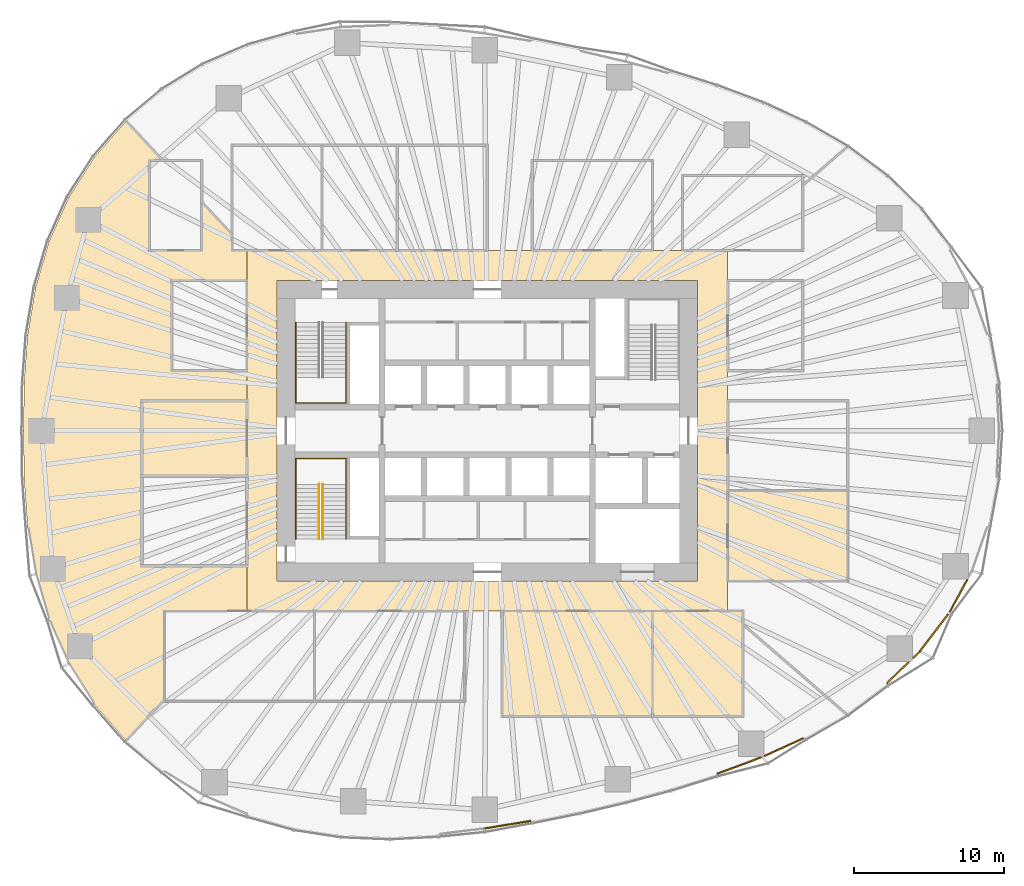
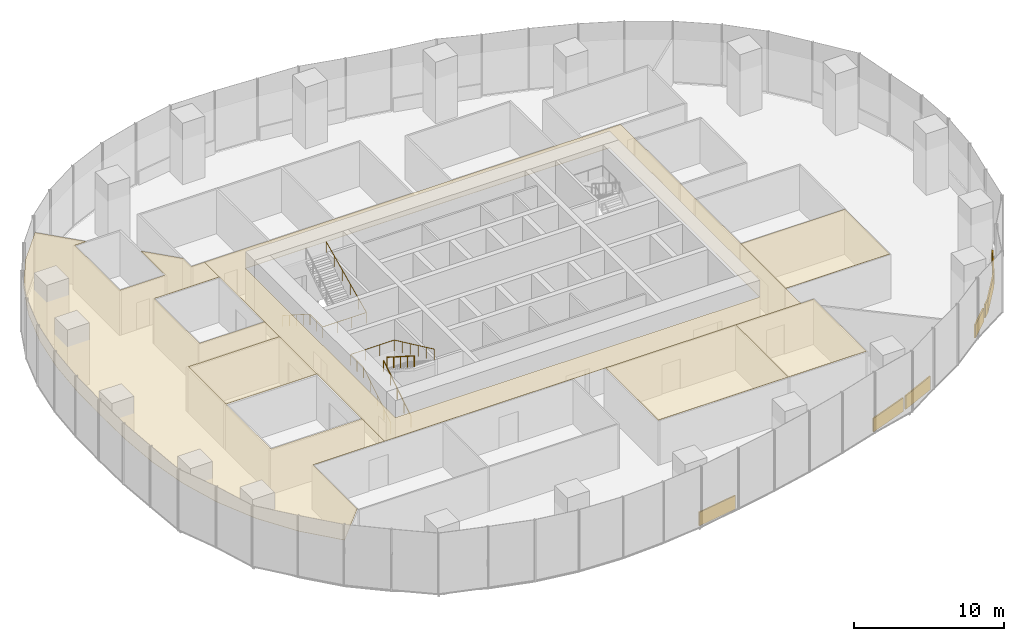
# One storey, part 18 of 20: 13 coverings, 4 railings.
"""IFC4 building model written with IfcOpenShell, lengths in metres."""

from ifc_helpers import new_model, si_unit, direction, frame, origin, origin_2d, place, context, subcontext, project, spatial, polyline, rectangle, circle, outline, extrude, material, layer, layer_set, type_object, element, save


model = new_model("IFC4")

# Units and contexts
model_context = context("Model", 3, precision=1e-05, world=origin(), true_north=direction((0.0, 1.0)))
body_context = subcontext(model_context, "Body", "Model", "MODEL_VIEW")
ifc_project = project(units=[si_unit("LENGTHUNIT", "METRE"), si_unit("AREAUNIT", "SQUARE_METRE"), si_unit("VOLUMEUNIT", "CUBIC_METRE"), si_unit("PLANEANGLEUNIT", "RADIAN"), si_unit("MASSUNIT", "GRAM", prefix="KILO")], contexts=[model_context])

# Site, building, storey
site_placement = place(None, origin())
site = spatial("IfcSite", under=ifc_project, at=site_placement, CompositionType="ELEMENT")
building_placement = place(site_placement, origin())
building = spatial("IfcBuilding", under=site, at=building_placement, Name="Ghaith Harvest Tower", CompositionType="ELEMENT")
storey_placement = place(building_placement, frame((0.0, 0.0, 85.0)))
storey = spatial("IfcBuildingStorey", under=building, at=storey_placement, Name="L17", CompositionType="ELEMENT", Elevation=85.0)

# Coverings
ifc_material_1 = material(Name="Mineral fibre ceiling tile", Category="gypsum")
ifc_layer_1 = layer(ifc_material_1, 0.02490234375)
ifc_layer_set_1 = layer_set([ifc_layer_1], Name="CEILING C2")
covering_type_1 = type_object("IfcCoveringType", Name="CEILING C2", PredefinedType="CEILING", material=ifc_layer_set_1)
covering_1_placement = place(storey_placement, frame((0.0, 0.0, 3.60009765625)))
element("IfcCovering", 1, at=covering_1_placement, inside=storey, type_object=covering_type_1, Name="Ceiling L17-03", PredefinedType="CEILING", context=body_context, shape_type="SweptSolid", body=[
    extrude(outline(polyline([(1.0, -19.0), (11.0, -19.0), (11.0, -12.0), (1.0, -12.0), (1.0, -19.0)])), origin(), (0.0, 0.0, 1.0), 0.02490234375),
])
covering_2_placement = place(storey_placement, frame((0.0, 0.0, 3.60009765625)))
element("IfcCovering", 2, at=covering_2_placement, inside=storey, type_object=covering_type_1, Name="Ceiling L17-04", PredefinedType="CEILING", context=body_context, shape_type="SweptSolid", body=[
    extrude(outline(polyline([(11.0, -19.0), (17.0, -19.0), (17.0, -12.0), (11.0, -12.0), (11.0, -19.0)])), origin(), (0.0, 0.0, 1.0), 0.02490234375),
])
covering_3_placement = place(storey_placement, frame((0.0, 0.0, 3.60009765625)))
element("IfcCovering", 3, at=covering_3_placement, inside=storey, type_object=covering_type_1, Name="Ceiling L17-05", PredefinedType="CEILING", context=body_context, shape_type="SweptSolid", body=[
    extrude(outline(polyline([(16.0, -10.0), (24.0, -10.0), (24.0, -4.0), (16.0, -4.0), (16.0, -10.0)])), origin(), (0.0, 0.0, 1.0), 0.02490234375),
])
covering_4_placement = place(storey_placement, frame((0.0, 0.0, 3.60009765625)))
element("IfcCovering", 4, at=covering_4_placement, inside=storey, type_object=covering_type_1, Name="Ceiling L17-12", PredefinedType="CEILING", context=body_context, shape_type="SweptSolid", body=[
    extrude(outline(polyline([(-23.0, -3.0), (-16.0, -3.0), (-16.0, 2.0), (-23.0, 2.0), (-23.0, -3.0)])), origin(), (0.0, 0.0, 1.0), 0.02490234375),
])
covering_5_placement = place(storey_placement, frame((0.0, 0.0, 3.60009765625)))
element("IfcCovering", 5, at=covering_5_placement, inside=storey, type_object=covering_type_1, Name="Ceiling L17-C1", PredefinedType="CEILING", context=body_context, shape_type="SweptSolid", body=[
    extrude(outline(polyline([(16.0, -12.0), (-16.0, -12.0), (-16.0, 12.0), (16.0, 12.0), (16.0, -12.0)]), holes=[polyline([(14.0, 10.0), (-14.0, 10.0), (-14.0, -10.0), (14.0, -10.0), (14.0, 10.0)])]), origin(), (0.0, 0.0, 1.0), 0.02490234375),
])
covering_6_placement = place(storey_placement, frame((0.0, 0.0, 3.60009765625)))
element("IfcCovering", 6, at=covering_6_placement, inside=storey, type_object=covering_type_1, Name="Ceiling L17-W1", PredefinedType="CEILING", context=body_context, shape_type="SweptSolid", body=[
    extrude(outline(polyline([(-26.16455078125, -18.20556640625), (-27.881591796875, -15.507080078125), (-29.182373046875, -12.587890625), (-30.073974609375, -9.531005859375), (-30.606689453125, -6.35107421875), (-30.837158203125, -3.165771484375), (-30.875, 0.0), (-30.837158203125, 3.165771484375), (-30.606689453125, 6.35107421875), (-30.073974609375, 9.531005859375), (-29.182373046875, 12.587890625), (-27.881591796875, 15.507080078125), (-26.16455078125, 18.20556640625), (-24.04833984375, 20.618408203125), (-21.60302734375, 18.0), (-22.5, 18.0), (-22.5, 12.0), (-19.0, 12.0), (-19.0, 15.21240234375), (-17.0, 13.07080078125), (-17.0, 12.0), (-16.0, 12.0), (-16.0, 10.0), (-21.0, 10.0), (-21.0, 4.0), (-16.0, 4.0), (-16.0, 2.0), (-23.0, 2.0), (-23.0, -9.0), (-16.0, -9.0), (-16.0, -12.0), (-21.5, -12.0), (-21.5, -17.8896484375), (-24.04833984375, -20.618408203125), (-26.16455078125, -18.20556640625)])), origin(), (0.0, 0.0, 1.0), 0.02490234375),
])

# Railings
ifc_material_2 = material(Name="Steel, black powder-coated", Category="steel")
railing_type = type_object("IfcRailingType", Name="HANDRAIL HR1", PredefinedType="HANDRAIL", material=ifc_material_2)
railing_1_placement = place(storey_placement, frame((-12.75, 7.199951171875, 0.178466796875)))
element("IfcRailing", 7, at=railing_1_placement, inside=storey, type_object=railing_type, Name="Handrail HR1 stair ST1 L17 wall side", PredefinedType="HANDRAIL", context=body_context, shape_type="SweptSolid", body=[
    extrude(circle(Radius=0.02392578125, at=origin_2d()), frame((0.0, 0.0, 0.8759765625), z_axis=(0.0, -0.843111507901, 0.53773877045), x_axis=(1.0, 0.0, 0.0)), (0.0, 0.0, 1.0), 4.317138671875),
    extrude(circle(Radius=0.02392578125, at=origin_2d()), frame((0.0, -3.639892578125, 3.197265625), z_axis=(0.0, -1.0, 0.0), x_axis=(1.0, 0.0, 0.0)), (0.0, 0.0, 1.0), 1.7099609375),
    extrude(circle(Radius=0.02392578125, at=origin_2d()), frame((0.0, -5.349853515625, 3.197265625), z_axis=(1.0, 0.0, 0.0), x_axis=(0.0, 1.0, 0.0)), (0.0, 0.0, 1.0), 3.35009765625),
    extrude(circle(Radius=0.02392578125, at=origin_2d()), frame((3.35009765625, -5.349853515625, 3.197265625), z_axis=(0.0, 0.905962265858, 0.423358444868), x_axis=(-1.0, 0.0, 0.0)), (0.0, 0.0, 1.0), 5.9052734375),
    extrude(circle(Radius=0.02099609375, at=origin_2d()), origin(), (0.0, 0.0, 1.0), 0.851806640625),
    extrude(circle(Radius=0.02099609375, at=origin_2d()), frame((0.0, -0.909912109375, 0.580322265625)), (0.0, 0.0, 1.0), 0.851806640625),
    extrude(circle(Radius=0.02099609375, at=origin_2d()), frame((0.0, -1.81982421875, 1.16064453125)), (0.0, 0.0, 1.0), 0.851806640625),
    extrude(circle(Radius=0.02099609375, at=origin_2d()), frame((0.0, -2.72998046875, 1.7412109375)), (0.0, 0.0, 1.0), 0.851806640625),
    extrude(circle(Radius=0.02099609375, at=origin_2d()), frame((0.0, -3.639892578125, 2.321533203125)), (0.0, 0.0, 1.0), 0.851806640625),
    extrude(circle(Radius=0.02099609375, at=origin_2d()), frame((0.0, -4.494873046875, 2.321533203125)), (0.0, 0.0, 1.0), 0.851806640625),
    extrude(circle(Radius=0.02099609375, at=origin_2d()), frame((0.0, -5.349853515625, 2.321533203125)), (0.0, 0.0, 1.0), 0.851806640625),
    extrude(circle(Radius=0.02099609375, at=origin_2d()), frame((1.11669921875, -5.349853515625, 2.321533203125)), (0.0, 0.0, 1.0), 0.851806640625),
    extrude(circle(Radius=0.02099609375, at=origin_2d()), frame((2.2333984375, -5.349853515625, 2.321533203125)), (0.0, 0.0, 1.0), 0.851806640625),
    extrude(circle(Radius=0.02099609375, at=origin_2d()), frame((3.35009765625, -5.349853515625, 2.321533203125)), (0.0, 0.0, 1.0), 0.851806640625),
    extrude(circle(Radius=0.02099609375, at=origin_2d()), frame((3.35009765625, -4.27978515625, 2.821533203125)), (0.0, 0.0, 1.0), 0.851806640625),
    extrude(circle(Radius=0.02099609375, at=origin_2d()), frame((3.35009765625, -3.2099609375, 3.321533203125)), (0.0, 0.0, 1.0), 0.851806640625),
    extrude(circle(Radius=0.02099609375, at=origin_2d()), frame((3.35009765625, -2.139892578125, 3.821533203125)), (0.0, 0.0, 1.0), 0.851806640625),
    extrude(circle(Radius=0.02099609375, at=origin_2d()), frame((3.35009765625, -1.070068359375, 4.321533203125)), (0.0, 0.0, 1.0), 0.851806640625),
    extrude(circle(Radius=0.02099609375, at=origin_2d()), frame((3.35009765625, 0.0, 4.821533203125)), (0.0, 0.0, 1.0), 0.851806640625),
])
railing_2_placement = place(storey_placement, frame((-11.199951171875, -7.199951171875, 0.178466796875)))
element("IfcRailing", 8, at=railing_2_placement, inside=storey, type_object=railing_type, Name="Handrail HR1 stair ST3 L17 flight 1 inner", PredefinedType="HANDRAIL", context=body_context, shape_type="SweptSolid", body=[
    extrude(circle(Radius=0.02392578125, at=origin_2d()), frame((0.0, 0.0, 0.8759765625), z_axis=(0.0, 0.843111507901, 0.53773877045), x_axis=(-1.0, 0.0, 0.0)), (0.0, 0.0, 1.0), 4.317138671875),
    extrude(circle(Radius=0.02099609375, at=origin_2d()), origin(), (0.0, 0.0, 1.0), 0.851806640625),
    extrude(circle(Radius=0.02099609375, at=origin_2d()), frame((0.0, 0.909912109375, 0.580322265625)), (0.0, 0.0, 1.0), 0.851806640625),
    extrude(circle(Radius=0.02099609375, at=origin_2d()), frame((0.0, 1.81982421875, 1.16064453125)), (0.0, 0.0, 1.0), 0.851806640625),
    extrude(circle(Radius=0.02099609375, at=origin_2d()), frame((0.0, 2.72998046875, 1.7412109375)), (0.0, 0.0, 1.0), 0.851806640625),
    extrude(circle(Radius=0.02099609375, at=origin_2d()), frame((0.0, 3.639892578125, 2.321533203125)), (0.0, 0.0, 1.0), 0.851806640625),
])
railing_3_placement = place(storey_placement, frame((-10.949951171875, -3.56005859375, 2.678466796875)))
element("IfcRailing", 9, at=railing_3_placement, inside=storey, type_object=railing_type, Name="Handrail HR1 stair ST3 L17 flight 2 inner", PredefinedType="HANDRAIL", context=body_context, shape_type="SweptSolid", body=[
    extrude(circle(Radius=0.02392578125, at=origin_2d()), frame((0.0, 0.0, 0.8759765625), z_axis=(0.0, -0.843111507901, 0.53773877045), x_axis=(1.0, 0.0, 0.0)), (0.0, 0.0, 1.0), 4.317138671875),
    extrude(circle(Radius=0.02099609375, at=origin_2d()), origin(), (0.0, 0.0, 1.0), 0.851806640625),
    extrude(circle(Radius=0.02099609375, at=origin_2d()), frame((0.0, -0.909912109375, 0.580322265625)), (0.0, 0.0, 1.0), 0.851806640625),
    extrude(circle(Radius=0.02099609375, at=origin_2d()), frame((0.0, -1.81982421875, 1.16064453125)), (0.0, 0.0, 1.0), 0.851806640625),
    extrude(circle(Radius=0.02099609375, at=origin_2d()), frame((0.0, -2.72998046875, 1.7412109375)), (0.0, 0.0, 1.0), 0.851806640625),
    extrude(circle(Radius=0.02099609375, at=origin_2d()), frame((0.0, -3.639892578125, 2.321533203125)), (0.0, 0.0, 1.0), 0.851806640625),
])
railing_4_placement = place(storey_placement, frame((-12.75, -7.199951171875, 0.178466796875)))
element("IfcRailing", 10, at=railing_4_placement, inside=storey, type_object=railing_type, Name="Handrail HR1 stair ST3 L17 wall side", PredefinedType="HANDRAIL", context=body_context, shape_type="SweptSolid", body=[
    extrude(circle(Radius=0.02392578125, at=origin_2d()), frame((0.0, 0.0, 0.8759765625), z_axis=(0.0, 0.843111507901, 0.53773877045), x_axis=(-1.0, 0.0, 0.0)), (0.0, 0.0, 1.0), 4.317138671875),
    extrude(circle(Radius=0.02392578125, at=origin_2d()), frame((0.0, 3.639892578125, 3.197265625), z_axis=(0.0, 1.0, 0.0), x_axis=(-1.0, 0.0, 0.0)), (0.0, 0.0, 1.0), 1.7099609375),
    extrude(circle(Radius=0.02392578125, at=origin_2d()), frame((0.0, 5.349853515625, 3.197265625), z_axis=(1.0, 0.0, 0.0), x_axis=(0.0, 1.0, 0.0)), (0.0, 0.0, 1.0), 3.35009765625),
    extrude(circle(Radius=0.02392578125, at=origin_2d()), frame((3.35009765625, 5.349853515625, 3.197265625), z_axis=(0.0, -0.905962265858, 0.423358444868), x_axis=(1.0, 0.0, 0.0)), (0.0, 0.0, 1.0), 5.9052734375),
    extrude(circle(Radius=0.02099609375, at=origin_2d()), origin(), (0.0, 0.0, 1.0), 0.851806640625),
    extrude(circle(Radius=0.02099609375, at=origin_2d()), frame((0.0, 0.909912109375, 0.580322265625)), (0.0, 0.0, 1.0), 0.851806640625),
    extrude(circle(Radius=0.02099609375, at=origin_2d()), frame((0.0, 1.81982421875, 1.16064453125)), (0.0, 0.0, 1.0), 0.851806640625),
    extrude(circle(Radius=0.02099609375, at=origin_2d()), frame((0.0, 2.72998046875, 1.7412109375)), (0.0, 0.0, 1.0), 0.851806640625),
    extrude(circle(Radius=0.02099609375, at=origin_2d()), frame((0.0, 3.639892578125, 2.321533203125)), (0.0, 0.0, 1.0), 0.851806640625),
    extrude(circle(Radius=0.02099609375, at=origin_2d()), frame((0.0, 4.494873046875, 2.321533203125)), (0.0, 0.0, 1.0), 0.851806640625),
    extrude(circle(Radius=0.02099609375, at=origin_2d()), frame((0.0, 5.349853515625, 2.321533203125)), (0.0, 0.0, 1.0), 0.851806640625),
    extrude(circle(Radius=0.02099609375, at=origin_2d()), frame((1.11669921875, 5.349853515625, 2.321533203125)), (0.0, 0.0, 1.0), 0.851806640625),
    extrude(circle(Radius=0.02099609375, at=origin_2d()), frame((2.2333984375, 5.349853515625, 2.321533203125)), (0.0, 0.0, 1.0), 0.851806640625),
    extrude(circle(Radius=0.02099609375, at=origin_2d()), frame((3.35009765625, 5.349853515625, 2.321533203125)), (0.0, 0.0, 1.0), 0.851806640625),
    extrude(circle(Radius=0.02099609375, at=origin_2d()), frame((3.35009765625, 4.27978515625, 2.821533203125)), (0.0, 0.0, 1.0), 0.851806640625),
    extrude(circle(Radius=0.02099609375, at=origin_2d()), frame((3.35009765625, 3.2099609375, 3.321533203125)), (0.0, 0.0, 1.0), 0.851806640625),
    extrude(circle(Radius=0.02099609375, at=origin_2d()), frame((3.35009765625, 2.139892578125, 3.821533203125)), (0.0, 0.0, 1.0), 0.851806640625),
    extrude(circle(Radius=0.02099609375, at=origin_2d()), frame((3.35009765625, 1.070068359375, 4.321533203125)), (0.0, 0.0, 1.0), 0.851806640625),
    extrude(circle(Radius=0.02099609375, at=origin_2d()), frame((3.35009765625, 0.0, 4.821533203125)), (0.0, 0.0, 1.0), 0.851806640625),
])

# Coverings
ifc_material_3 = material(Name="Insulated aluminium spandrel panel on steel framing", Category="steel")
ifc_layer_2 = layer(ifc_material_3, 0.10009765625)
ifc_layer_set_2 = layer_set([ifc_layer_2], Name="SLAB EDGE UPSTAND 1100x100")
covering_type_2 = type_object("IfcCoveringType", Name="SLAB EDGE UPSTAND 1100x100", PredefinedType="CLADDING", material=ifc_layer_set_2)
covering_7_placement = place(storey_placement, frame((1.349609375, -26.224365234375, 0.0), z_axis=(0.0, 0.0, 1.0), x_axis=(0.98671624755, 0.162453214254, 0.0)))
element("IfcCovering", 11, at=covering_7_placement, inside=storey, type_object=covering_type_2, Name="Slab edge upstand 1 bay 16 L17", PredefinedType="CLADDING", context=body_context, shape_type="SweptSolid", body=[
    extrude(rectangle(XDim=3.119873046875, YDim=0.10009765625, at=origin_2d()), origin(), (0.0, 0.0, 1.0), 1.10009765625),
])
covering_8_placement = place(storey_placement, frame((16.764404296875, -22.289306640625, 0.0), z_axis=(0.0, 0.0, 1.0), x_axis=(0.937331853701, 0.348437937139, 0.0)))
element("IfcCovering", 12, at=covering_8_placement, inside=storey, type_object=covering_type_2, Name="Slab edge upstand 3 bay 17 L17", PredefinedType="CLADDING", context=body_context, shape_type="SweptSolid", body=[
    extrude(rectangle(XDim=3.1298828125, YDim=0.10009765625, at=origin_2d()), origin(), (0.0, 0.0, 1.0), 1.10009765625),
])
covering_9_placement = place(storey_placement, frame((19.7451171875, -21.05810546875, 0.0), z_axis=(0.0, 0.0, 1.0), x_axis=(0.909046054499, 0.416695657284, 0.0)))
element("IfcCovering", 13, at=covering_9_placement, inside=storey, type_object=covering_type_2, Name="Slab edge upstand 1 bay 18 L17", PredefinedType="CLADDING", context=body_context, shape_type="SweptSolid", body=[
    extrude(rectangle(XDim=2.84326171875, YDim=0.10009765625, at=origin_2d()), origin(), (0.0, 0.0, 1.0), 1.10009765625),
])
covering_10_placement = place(storey_placement, frame((27.330810546875, -16.105224609375, 0.0), z_axis=(0.0, 0.0, 1.0), x_axis=(0.717386427289, 0.69667547247, 0.0)))
element("IfcCovering", 14, at=covering_10_placement, inside=storey, type_object=covering_type_2, Name="Slab edge upstand 1 bay 19 L17", PredefinedType="CLADDING", context=body_context, shape_type="SweptSolid", body=[
    extrude(rectangle(XDim=2.010498046875, YDim=0.10009765625, at=origin_2d()), origin(), (0.0, 0.0, 1.0), 1.10009765625),
])
covering_11_placement = place(storey_placement, frame((28.57470703125, -14.897216796875, 0.0), z_axis=(0.0, 0.0, 1.0), x_axis=(0.717386427289, 0.69667547247, 0.0)))
element("IfcCovering", 15, at=covering_11_placement, inside=storey, type_object=covering_type_2, Name="Slab edge upstand 1 bay 19 L17", PredefinedType="CLADDING", context=body_context, shape_type="SweptSolid", body=[
    extrude(rectangle(XDim=0.643310546875, YDim=0.10009765625, at=origin_2d()), origin(), (0.0, 0.0, 1.0), 1.10009765625),
])
covering_12_placement = place(storey_placement, frame((29.74267578125, -13.44921875, 0.0), z_axis=(0.0, 0.0, 1.0), x_axis=(0.608255123652, 0.7937415855, 0.0)))
element("IfcCovering", 16, at=covering_12_placement, inside=storey, type_object=covering_type_2, Name="Slab edge upstand 2 bay 19 L17", PredefinedType="CLADDING", context=body_context, shape_type="SweptSolid", body=[
    extrude(rectangle(XDim=3.09765625, YDim=0.10009765625, at=origin_2d()), origin(), (0.0, 0.0, 1.0), 1.10009765625),
])
covering_13_placement = place(storey_placement, frame((31.3759765625, -10.9755859375, 0.0), z_axis=(0.0, 0.0, 1.0), x_axis=(0.4763492928, 0.879256135178, 0.0)))
element("IfcCovering", 17, at=covering_13_placement, inside=storey, type_object=covering_type_2, Name="Slab edge upstand 3 bay 19 L17", PredefinedType="CLADDING", context=body_context, shape_type="SweptSolid", body=[
    extrude(rectangle(XDim=2.46484375, YDim=0.10009765625, at=origin_2d()), origin(), (0.0, 0.0, 1.0), 1.10009765625),
])

save(model, "model.ifc")
